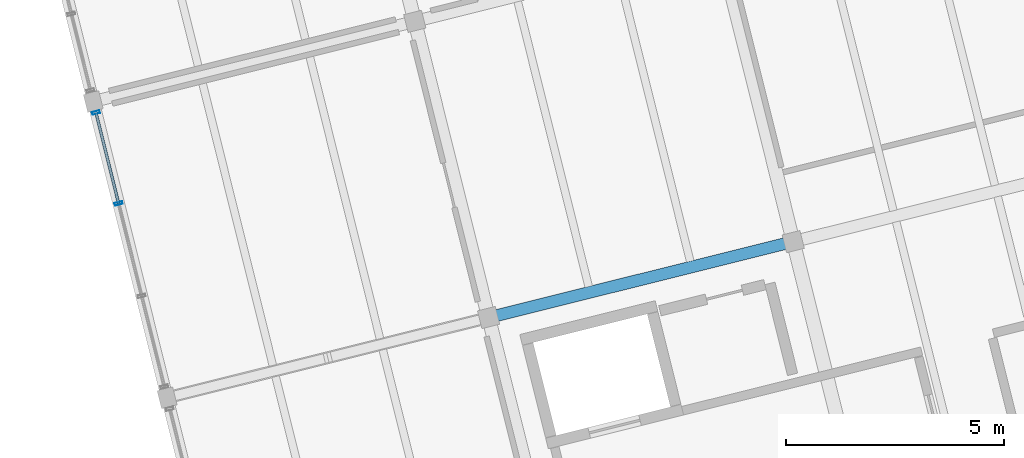
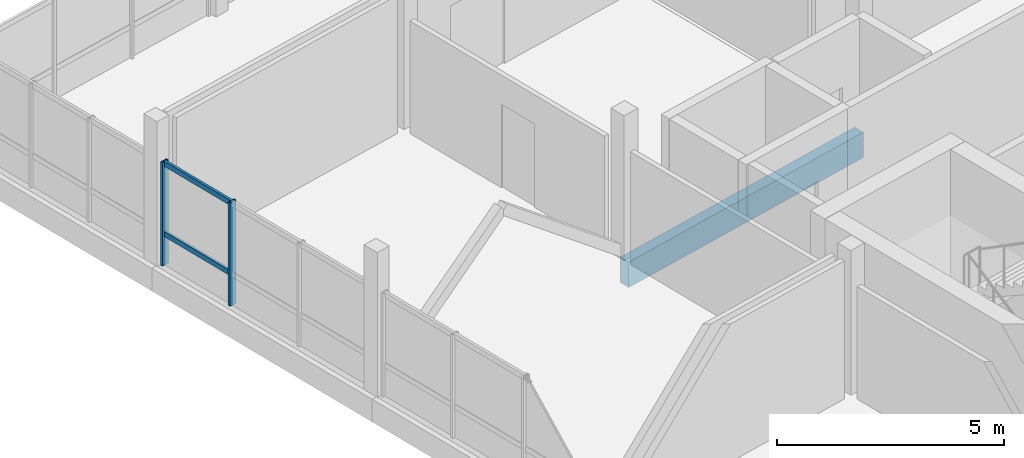
# One storey, part 8 of 27: 4 members, 1 beam, 1 element without a shape of its own.
"""IFC4 building model written with IfcOpenShell, lengths in metres."""

from ifc_helpers import new_model, si_unit, direction, frame, origin, origin_2d, place, context, subcontext, project, spatial, rectangle, hollow_rectangle, extrude, material, layer, layer_set, material_profile, profile_set, type_object, element, aggregate, save


model = new_model("IFC4")

# Units and contexts
model_context = context("Model", 3, precision=1e-05, world=origin(), true_north=direction((0.0, 1.0)))
body_context = subcontext(model_context, "Body", "Model", "MODEL_VIEW")
ifc_project = project(units=[si_unit("LENGTHUNIT", "METRE"), si_unit("AREAUNIT", "SQUARE_METRE"), si_unit("VOLUMEUNIT", "CUBIC_METRE"), si_unit("PLANEANGLEUNIT", "RADIAN"), si_unit("MASSUNIT", "GRAM", prefix="KILO")], contexts=[model_context])

# Site, building, storey
site_placement = place(None, origin())
site = spatial("IfcSite", under=ifc_project, at=site_placement, CompositionType="ELEMENT")
building_placement = place(site_placement, origin())
building = spatial("IfcBuilding", under=site, at=building_placement, Name="Meriwether Solvik Hall", CompositionType="ELEMENT")
storey_placement = place(building_placement, frame((0.0, 0.0, 33.89990234375)))
storey = spatial("IfcBuildingStorey", under=building, at=storey_placement, Name="L08", CompositionType="ELEMENT", Elevation=33.89990234375)

# Beam
ifc_material_1 = material(Name="Glulam Douglas-Fir 24F-V8 GL28h", Category="wood")
ifc_material_profile_1 = material_profile(ifc_material_1, rectangle(XDim=0.27294921875, YDim=0.68505859375, at=origin_2d()), Name="GLB-273X685")
ifc_profile_set_1 = profile_set([ifc_material_profile_1], Name="Glulam Douglas-Fir 24F-V8 GL28h")
beam_type = type_object("IfcBeamType", Name="BM-GL-273X685", PredefinedType="BEAM", material=ifc_profile_set_1)
beam_placement = place(storey_placement, frame((70.893798828125, 63.414794921875, -0.5224609375), z_axis=(0.970293896644, 0.241929233735, 0.0), x_axis=(-0.241929233735, 0.970293896644, 0.0)))
element("IfcBeam", 1, at=beam_placement, inside=storey, type_object=beam_type, Name="Tower Girder TD:T2-T3 (L08)", PredefinedType="BEAM", context=body_context, shape_type="SweptSolid", body=[
    extrude(rectangle(XDim=0.27294921875, YDim=0.68505859375, at=origin_2d()), origin(), (0.0, 0.0, 1.0), 7.2001953125),
])

# Curtain wall, members
ifc_material_2 = material(Name="Thermally Broken Anodised Aluminium 6063-T6 and Low-E Glass", Category="aluminium")
ifc_layer = layer(ifc_material_2, 0.179931640625)
ifc_layer_set = layer_set([ifc_layer], Name="Thermally Broken Anodised Aluminium 6063-T6 and Low-E Glass")
curtain_wall_type = type_object("IfcCurtainWallType", Name="CW-UNIT-B", PredefinedType="USERDEFINED", material=ifc_layer_set)
curtain_wall_placement = place(storey_placement, origin())
curtain_wall = element("IfcCurtainWall", 2, at=curtain_wall_placement, inside=storey, type_object=curtain_wall_type, Name="Curtain Wall E7_B3 (L08)", ObjectType="UNITISED CURTAIN WALL", PredefinedType="USERDEFINED")
ifc_material_3 = material(Name="Anodised Aluminium 6063-T6", Category="aluminium")
ifc_material_profile_2 = material_profile(ifc_material_3, hollow_rectangle(XDim=0.06494140625, YDim=0.179931640625, WallThickness=0.00439453125, at=origin_2d()), Name="CWM-65X180")
ifc_profile_set_2 = profile_set([ifc_material_profile_2], Name="Anodised Aluminium 6063-T6")
member_type_1 = type_object("IfcMemberType", Name="CW-MUL-65X180", PredefinedType="MULLION", material=ifc_profile_set_2)
member_1_placement = place(storey_placement, frame((62.40869140625, 66.032470703125, 0.0), z_axis=(0.0, 0.0, 1.0), x_axis=(-0.241921895312, 0.970295726348, 0.0)))
member_1 = element("IfcMember", 3, at=member_1_placement, type_object=member_type_1, Name="Curtain Wall Mullion 3", PredefinedType="MULLION", context=body_context, shape_type="SweptSolid", body=[
    extrude(hollow_rectangle(XDim=0.06494140625, YDim=0.179931640625, WallThickness=0.00439453125, at=origin_2d()), origin(), (0.0, 0.0, 1.0), 2.7900390625),
])
member_2_placement = place(storey_placement, frame((61.88916015625, 68.115966796875, 0.0), z_axis=(0.0, 0.0, 1.0), x_axis=(-0.241921895312, 0.970295726348, 0.0)))
member_2 = element("IfcMember", 4, at=member_2_placement, type_object=member_type_1, Name="Curtain Wall Mullion 4", PredefinedType="MULLION", context=body_context, shape_type="SweptSolid", body=[
    extrude(hollow_rectangle(XDim=0.06494140625, YDim=0.179931640625, WallThickness=0.00439453125, at=origin_2d()), origin(), (0.0, 0.0, 1.0), 2.7900390625),
])
ifc_material_4 = material(Name="Anodised Aluminium 6063-T6", Category="aluminium")
ifc_material_profile_3 = material_profile(ifc_material_4, hollow_rectangle(XDim=0.06494140625, YDim=0.139892578125, WallThickness=0.00439453125, at=origin_2d()), Name="CWT-65X140")
ifc_profile_set_3 = profile_set([ifc_material_profile_3], Name="Anodised Aluminium 6063-T6")
member_type_2 = type_object("IfcMemberType", Name="CW-TRN-65X140", PredefinedType="USERDEFINED", material=ifc_profile_set_3)
member_3_placement = place(storey_placement, frame((62.40869140625, 66.032470703125, 0.837158203125), z_axis=(-0.241947031677, 0.970289458802, 0.0), x_axis=(-0.970289458802, -0.241947031677, 0.0)))
member_3 = element("IfcMember", 5, at=member_3_placement, type_object=member_type_2, Name="Curtain Wall Transom 3-sill", ObjectType="TRANSOM", PredefinedType="USERDEFINED", context=body_context, shape_type="SweptSolid", body=[
    extrude(hollow_rectangle(XDim=0.06494140625, YDim=0.139892578125, WallThickness=0.00439453125, at=origin_2d()), origin(), (0.0, 0.0, 1.0), 2.147216796875),
])
member_4_placement = place(storey_placement, frame((62.40869140625, 66.032470703125, 2.72998046875), z_axis=(-0.241947031677, 0.970289458802, 0.0), x_axis=(-0.970289458802, -0.241947031677, 0.0)))
member_4 = element("IfcMember", 6, at=member_4_placement, type_object=member_type_2, Name="Curtain Wall Transom 3-head", ObjectType="TRANSOM", PredefinedType="USERDEFINED", context=body_context, shape_type="SweptSolid", body=[
    extrude(hollow_rectangle(XDim=0.06494140625, YDim=0.139892578125, WallThickness=0.00439453125, at=origin_2d()), origin(), (0.0, 0.0, 1.0), 2.147216796875),
])
aggregate(curtain_wall, [member_1, member_2, member_3, member_4])

save(model, "model.ifc")
